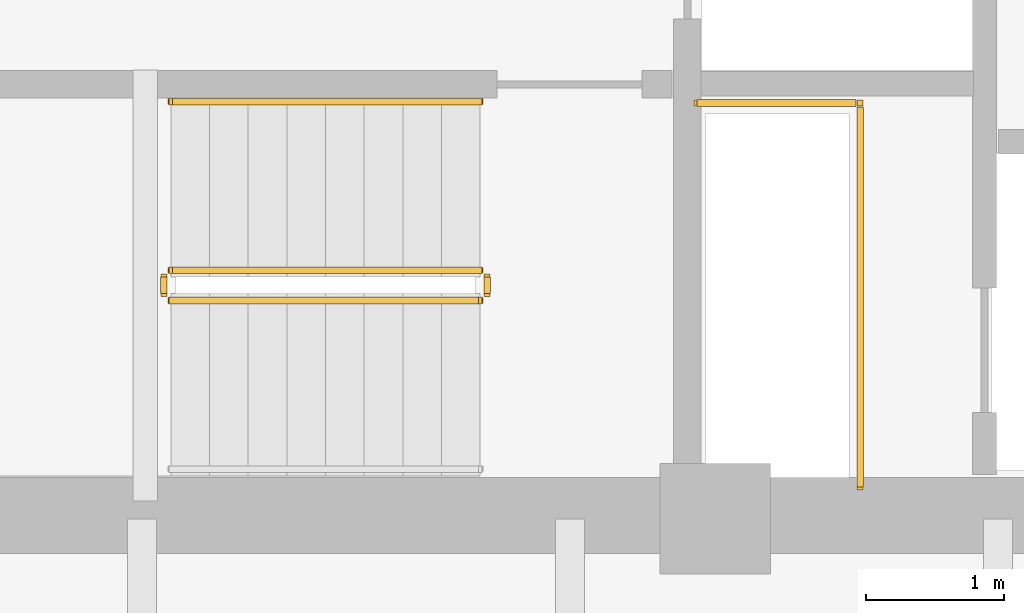
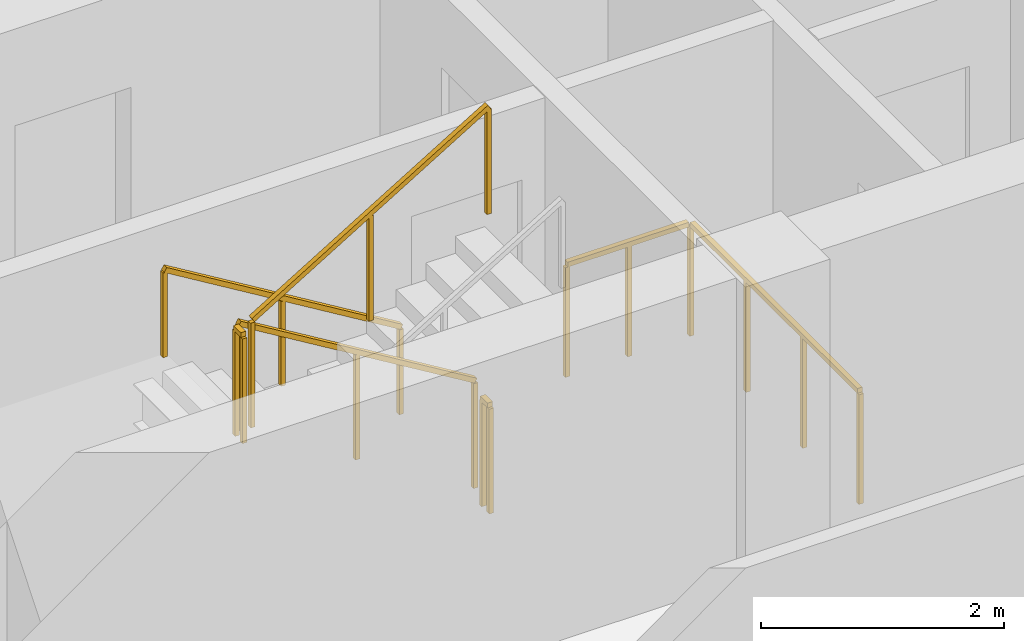
# One storey, part 7 of 11: 6 railings.
"""IFC4 building model written with IfcOpenShell, lengths in metres."""

from ifc_helpers import new_model, si_unit, direction, frame, origin, origin_2d, place, context, subcontext, project, spatial, rectangle, extrude, material, type_object, element, save


model = new_model("IFC4")

# Units and contexts
model_context = context("Model", 3, precision=1e-05, world=origin(), true_north=direction((0.0, 1.0)))
body_context = subcontext(model_context, "Body", "Model", "MODEL_VIEW")
ifc_project = project(units=[si_unit("LENGTHUNIT", "METRE"), si_unit("AREAUNIT", "SQUARE_METRE"), si_unit("VOLUMEUNIT", "CUBIC_METRE"), si_unit("PLANEANGLEUNIT", "RADIAN"), si_unit("MASSUNIT", "GRAM", prefix="KILO")], contexts=[model_context])

# Site, building, storey
site_placement = place(None, origin())
site = spatial("IfcSite", under=ifc_project, at=site_placement, CompositionType="ELEMENT")
building_placement = place(site_placement, origin())
building = spatial("IfcBuilding", under=site, at=building_placement, Name="Qhalaya Broadcast Tower", CompositionType="ELEMENT")
storey_placement = place(building_placement, frame((0.0, 0.0, 29.14990234375)))
storey = spatial("IfcBuildingStorey", under=building, at=storey_placement, Name="L07", CompositionType="ELEMENT", Elevation=29.14990234375)

# Railings
ifc_material = material(Name="Powder-Coated Galvanised Steel", Category="steel")
railing_type_1 = type_object("IfcRailingType", Name="Stair Wall Handrail 900", PredefinedType="HANDRAIL", material=ifc_material)
railing_1_placement = place(storey_placement, frame((-3.75, -5.72998046875, 0.16943359375)))
element("IfcRailing", 1, at=railing_1_placement, inside=storey, type_object=railing_type_1, Name="L07 ST-2 Stair Handrail 1", PredefinedType="HANDRAIL", context=body_context, shape_type="SweptSolid", body=[
    extrude(rectangle(XDim=0.048095703125, YDim=0.048095703125, at=origin_2d()), frame((0.0, 0.0, 0.8759765625), z_axis=(-0.855512035549, 0.0, 0.517782924622), x_axis=(0.0, -1.0, 0.0)), (0.0, 0.0, 1.0), 2.618408203125),
    extrude(rectangle(XDim=0.0419921875, YDim=0.0419921875, at=origin_2d()), origin(), (0.0, 0.0, 1.0), 0.849853515625),
    extrude(rectangle(XDim=0.0419921875, YDim=0.0419921875, at=origin_2d()), frame((-1.1201171875, 0.0, 0.677734375)), (0.0, 0.0, 1.0), 0.849853515625),
    extrude(rectangle(XDim=0.0419921875, YDim=0.0419921875, at=origin_2d()), frame((-2.239990234375, 0.0, 1.355712890625)), (0.0, 0.0, 1.0), 0.849853515625),
])
railing_type_2 = type_object("IfcRailingType", Name="Stair Well & Landing Guardrail 1100", PredefinedType="GUARDRAIL", material=ifc_material)
railing_2_placement = place(storey_placement, frame((-1.0, -8.52001953125, 0.0)))
element("IfcRailing", 2, at=railing_2_placement, inside=storey, type_object=railing_type_2, Name="L07 Service Riser Opening Safety Guard SRSR", PredefinedType="GUARDRAIL", context=body_context, shape_type="SweptSolid", body=[
    extrude(rectangle(XDim=0.048095703125, YDim=0.048095703125, at=origin_2d()), frame((0.0, 0.0, 1.1259765625), z_axis=(0.0, 1.0, 0.0), x_axis=(-1.0, 0.0, 0.0)), (0.0, 0.0, 1.0), 2.751220703125),
    extrude(rectangle(XDim=0.048095703125, YDim=0.048095703125, at=origin_2d()), frame((-0.02880859375, 2.780029296875, 1.1259765625), z_axis=(-1.0, 0.0, 0.0), x_axis=(0.0, -1.0, 0.0)), (0.0, 0.0, 1.0), 1.151123046875),
    extrude(rectangle(XDim=0.0419921875, YDim=0.0419921875, at=origin_2d()), origin(), (0.0, 0.0, 1.0), 1.099853515625),
    extrude(rectangle(XDim=0.0419921875, YDim=0.0419921875, at=origin_2d()), frame((0.0, 0.9267578125, 0.0)), (0.0, 0.0, 1.0), 1.099853515625),
    extrude(rectangle(XDim=0.0419921875, YDim=0.0419921875, at=origin_2d()), frame((0.0, 1.853271484375, 0.0)), (0.0, 0.0, 1.0), 1.099853515625),
    extrude(rectangle(XDim=0.0419921875, YDim=0.0419921875, at=origin_2d()), frame((0.0, 2.780029296875, 0.0)), (0.0, 0.0, 1.0), 1.099853515625),
    extrude(rectangle(XDim=0.0419921875, YDim=0.0419921875, at=origin_2d()), frame((-0.58984375, 2.780029296875, 0.0)), (0.0, 0.0, 1.0), 1.099853515625),
    extrude(rectangle(XDim=0.0419921875, YDim=0.0419921875, at=origin_2d()), frame((-1.179931640625, 2.780029296875, 0.0)), (0.0, 0.0, 1.0), 1.099853515625),
])
railing_3_placement = place(storey_placement, frame((-3.75, -6.949951171875, 0.16943359375)))
element("IfcRailing", 3, at=railing_3_placement, inside=storey, type_object=railing_type_2, Name="L07 ST-2 Stair Guard 1", PredefinedType="GUARDRAIL", context=body_context, shape_type="SweptSolid", body=[
    extrude(rectangle(XDim=0.048095703125, YDim=0.048095703125, at=origin_2d()), frame((0.0, 0.0, 1.076171875), z_axis=(-0.855512035549, 0.0, 0.517782924622), x_axis=(0.0, -1.0, 0.0)), (0.0, 0.0, 1.0), 2.618408203125),
    extrude(rectangle(XDim=0.0419921875, YDim=0.0419921875, at=origin_2d()), origin(), (0.0, 0.0, 1.0), 1.050048828125),
    extrude(rectangle(XDim=0.0419921875, YDim=0.0419921875, at=origin_2d()), frame((-1.1201171875, 0.0, 0.677734375)), (0.0, 0.0, 1.0), 1.050048828125),
    extrude(rectangle(XDim=0.0419921875, YDim=0.0419921875, at=origin_2d()), frame((-2.239990234375, 0.0, 1.355712890625)), (0.0, 0.0, 1.0), 1.050048828125),
])
railing_4_placement = place(storey_placement, frame((-6.0400390625, -7.0, 1.525146484375)))
element("IfcRailing", 4, at=railing_4_placement, inside=storey, type_object=railing_type_2, Name="L07 ST-2 Stair Guard 2", PredefinedType="GUARDRAIL", context=body_context, shape_type="SweptSolid", body=[
    extrude(rectangle(XDim=0.048095703125, YDim=0.048095703125, at=origin_2d()), frame((0.0, 0.0, 1.076171875), z_axis=(0.0, -1.0, 0.0), x_axis=(1.0, 0.0, 0.0)), (0.0, 0.0, 1.0), 0.1201171875),
    extrude(rectangle(XDim=0.0419921875, YDim=0.0419921875, at=origin_2d()), origin(), (0.0, 0.0, 1.0), 1.050048828125),
    extrude(rectangle(XDim=0.0419921875, YDim=0.0419921875, at=origin_2d()), frame((0.0, -0.1201171875, 0.0)), (0.0, 0.0, 1.0), 1.050048828125),
])
railing_5_placement = place(storey_placement, frame((-5.989990234375, -7.169921875, 1.694580078125)))
element("IfcRailing", 5, at=railing_5_placement, inside=storey, type_object=railing_type_2, Name="L07 ST-2 Stair Guard 3", PredefinedType="GUARDRAIL", context=body_context, shape_type="SweptSolid", body=[
    extrude(rectangle(XDim=0.048095703125, YDim=0.048095703125, at=origin_2d()), frame((0.0, 0.0, 1.076171875), z_axis=(0.855553338991, 0.0, 0.51771467445), x_axis=(0.0, 1.0, 0.0)), (0.0, 0.0, 1.0), 2.6181640625),
    extrude(rectangle(XDim=0.0419921875, YDim=0.0419921875, at=origin_2d()), origin(), (0.0, 0.0, 1.0), 1.050048828125),
    extrude(rectangle(XDim=0.0419921875, YDim=0.0419921875, at=origin_2d()), frame((1.1201171875, 0.0, 0.677734375)), (0.0, 0.0, 1.0), 1.050048828125),
    extrude(rectangle(XDim=0.0419921875, YDim=0.0419921875, at=origin_2d()), frame((2.239990234375, 0.0, 1.35546875)), (0.0, 0.0, 1.0), 1.050048828125),
])
railing_6_placement = place(storey_placement, frame((-3.699951171875, -7.0, 0.0)))
element("IfcRailing", 6, at=railing_6_placement, inside=storey, type_object=railing_type_2, Name="L07 ST-2 Stair Guard 4", PredefinedType="GUARDRAIL", context=body_context, shape_type="SweptSolid", body=[
    extrude(rectangle(XDim=0.048095703125, YDim=0.048095703125, at=origin_2d()), frame((0.0, 0.0, 1.076171875), z_axis=(0.0, -1.0, 0.0), x_axis=(1.0, 0.0, 0.0)), (0.0, 0.0, 1.0), 0.1201171875),
    extrude(rectangle(XDim=0.0419921875, YDim=0.0419921875, at=origin_2d()), origin(), (0.0, 0.0, 1.0), 1.050048828125),
    extrude(rectangle(XDim=0.0419921875, YDim=0.0419921875, at=origin_2d()), frame((0.0, -0.1201171875, 0.0)), (0.0, 0.0, 1.0), 1.050048828125),
])

save(model, "model.ifc")
